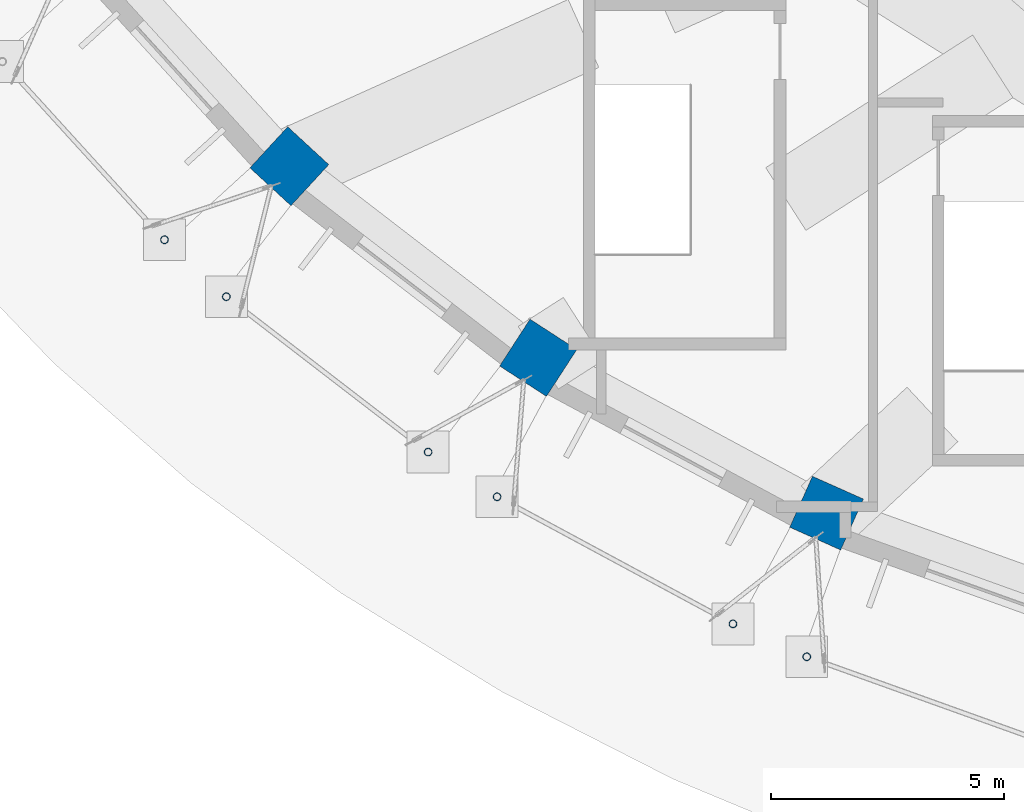
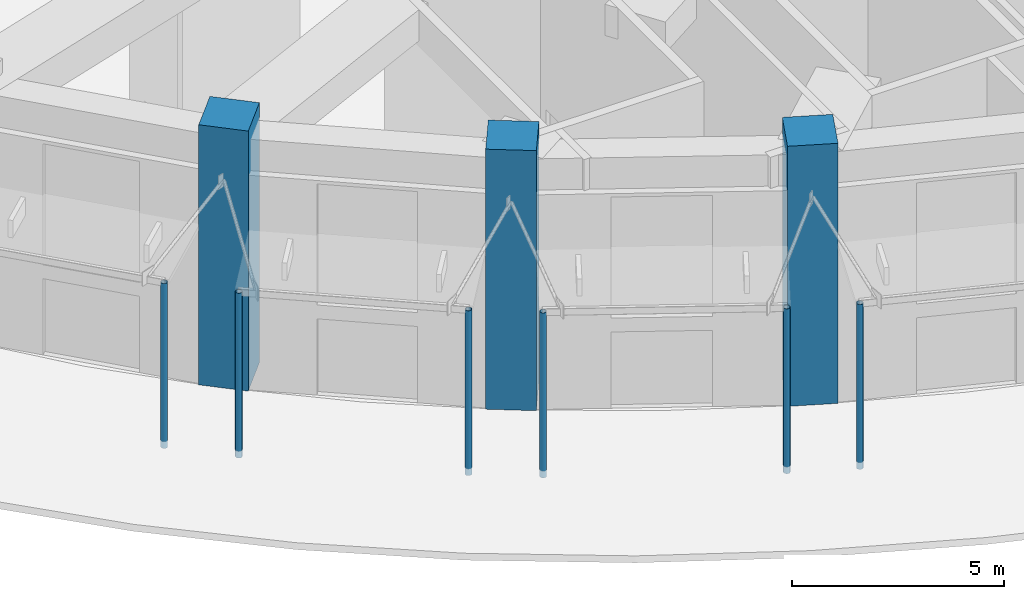
# One storey, part 2 of 60: 9 columns.
"""IFC4 building model written with IfcOpenShell, lengths in metres."""

from ifc_helpers import new_model, si_unit, direction, frame, origin, origin_2d, place, context, subcontext, project, spatial, rectangle, hollow_circle, extrude, material, material_profile, profile_set, type_object, element, save


model = new_model("IFC4")

# Units and contexts
model_context = context("Model", 3, precision=1e-05, world=origin(), true_north=direction((0.0, 1.0)))
body_context = subcontext(model_context, "Body", "Model", "MODEL_VIEW")
ifc_project = project(units=[si_unit("LENGTHUNIT", "METRE"), si_unit("AREAUNIT", "SQUARE_METRE"), si_unit("VOLUMEUNIT", "CUBIC_METRE"), si_unit("PLANEANGLEUNIT", "RADIAN"), si_unit("MASSUNIT", "GRAM", prefix="KILO")], contexts=[model_context])

# Site, building, storey
site_placement = place(None, origin())
site = spatial("IfcSite", under=ifc_project, at=site_placement, CompositionType="ELEMENT")
building_placement = place(site_placement, origin())
building = spatial("IfcBuilding", under=site, at=building_placement, Name="Taillehof Tower", CompositionType="ELEMENT")
storey_placement = place(building_placement, origin())
storey = spatial("IfcBuildingStorey", under=building, at=storey_placement, Name="L00", CompositionType="ELEMENT", Elevation=0.0)

# Columns
ifc_material_1 = material(Name="Steel S460M", Category="steel")
ifc_material_profile_1 = material_profile(ifc_material_1, hollow_circle(Radius=0.084228515625, WallThickness=0.008056640625, at=origin_2d()), Name="CHS 168.3x8")
ifc_profile_set_1 = profile_set([ifc_material_profile_1], Name="Steel S460M")
column_type_1 = type_object("IfcColumnType", Name="Canopy post CHS 168.3x8", PredefinedType="COLUMN", material=ifc_profile_set_1)
for number, where, z_axis, x_axis, name in (
    (1, (-35.93017578125, -23.04931640625, -0.199951171875), (0.0, 0.0, 1.0), (1.0, 0.0, 0.0), "Canopy post E3"),
    (2, (-34.600830078125, -24.273681640625, -0.199951171875), (0.0, 0.0, 1.0), (1.0, 0.0, 0.0), "Canopy post E4"),
    (3, (-30.263671875, -27.61181640625, -0.199951171875), (0.0, 0.0, 1.0), (1.0, 0.0, 0.0), "Canopy post E4"),
    (4, (-28.780517578125, -28.573486328125, -0.199951171875), (0.0, 0.0, 1.0), (1.0, 0.0, 0.0), "Canopy post E21"),
    (5, (-23.711669921875, -31.30517578125, -0.199951171875), (0.0, 0.0, 1.0), (1.0, 0.0, 0.0), "Canopy post E21"),
    (6, (-22.1259765625, -32.01220703125, -0.199951171875), (0.0, 0.0, 1.0), (1.0, 0.0, 0.0), "Canopy post E15"),
):
    element("IfcColumn", number, at=place(storey_placement, frame(where, z_axis=z_axis, x_axis=x_axis)), inside=storey, type_object=column_type_1, Name=name, PredefinedType="COLUMN", context=body_context, shape_type="SweptSolid", body=[
        extrude(hollow_circle(Radius=0.084228515625, WallThickness=0.008056640625, at=origin_2d()), origin(), (0.0, 0.0, 1.0), 4.7548828125),
    ])
ifc_material_2 = material(Name="Concrete C60/75", Category="concrete")
ifc_material_profile_2 = material_profile(ifc_material_2, rectangle(XDim=1.199951171875, YDim=1.199951171875, at=origin_2d()), Name="RC 1200x1200")
ifc_profile_set_2 = profile_set([ifc_material_profile_2], Name="Concrete C60/75")
column_type_2 = type_object("IfcColumnType", Name="Podium column C60/75 1200x1200", PredefinedType="COLUMN", material=ifc_profile_set_2)
for number, where, z_axis, x_axis, name in (
    (7, (-33.246337890625, -21.468994140625, 0.0), (0.0, 0.0, 1.0), (-0.677415246737, -0.735600831626, 0.0), "Podium column PC23"),
    (8, (-27.89697265625, -25.5859375, 0.0), (0.0, 0.0, 1.0), (-0.544041391531, -0.839058379554, 0.0), "Podium column PC24"),
    (9, (-21.699951171875, -28.92529296875, 0.0), (0.0, 0.0, 1.0), (-0.407426758957, -0.913237885814, 0.0), "Podium column PC25"),
):
    element("IfcColumn", number, at=place(storey_placement, frame(where, z_axis=z_axis, x_axis=x_axis)), inside=storey, type_object=column_type_2, Name=name, PredefinedType="COLUMN", context=body_context, shape_type="SweptSolid", body=[
        extrude(rectangle(XDim=1.199951171875, YDim=1.199951171875, at=origin_2d()), origin(), (0.0, 0.0, 1.0), 7.5),
    ])

save(model, "model.ifc")
